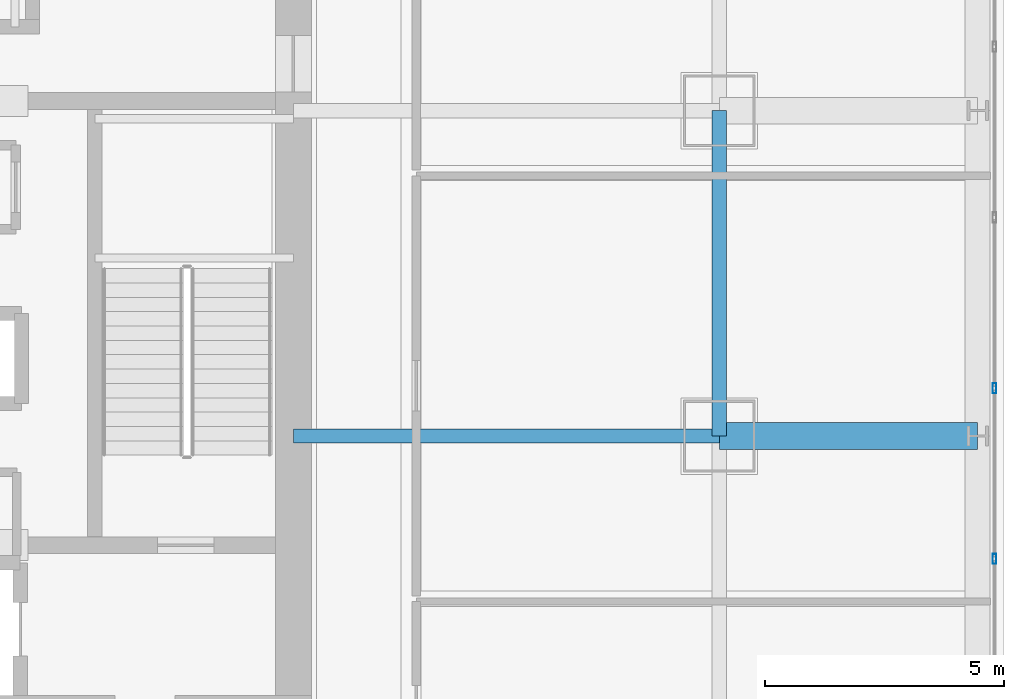
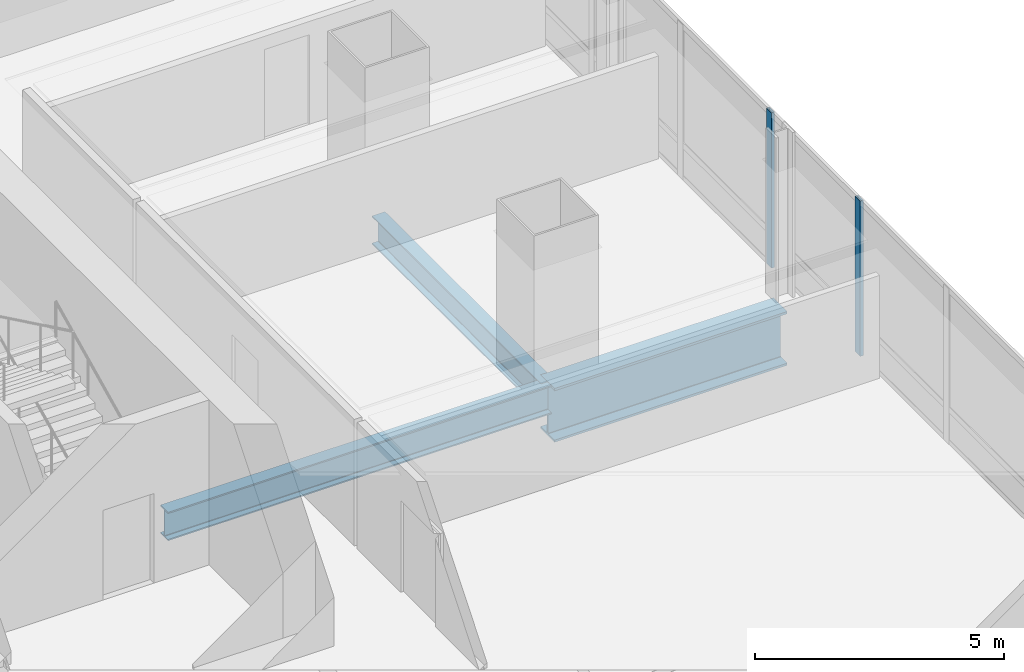
# One storey, part 15 of 35: 3 beams, 2 members, 1 element without a shape of its own.
"""IFC4 building model written with IfcOpenShell, lengths in metres."""

import ifcopenshell
import ifcopenshell.guid

model = None  # the IFC model being written
_history = None  # IfcOwnerHistory: only IFC2X3 demands one
_inside = {}  # id of a spatial element -> (the spatial element, [elements in it])
_under = {}  # id of a project, library or spatial element -> (it, [spatial elements below it])
_declared = {}  # id of a project -> (the project, [libraries it declares])
_typed = {}  # id of a type object -> (the type object, [elements of that type])
_made_of = {}  # id of a material, layer set ... -> (it, [elements and type objects made of it])


def new_model(schema):
    """Start an empty IFC model of exactly this schema.

    Asked for "IFC4X3", IfcOpenShell would pick the latest addendum, in which some entities
    have other attributes; the version numbers below select the first issue.
    IFC2X3 requires an IfcOwnerHistory on every rooted entity: one is made here for all.
    """
    global model, _history
    if schema == "IFC4X3":
        model = ifcopenshell.file(schema_version=(4, 3, 0, 0))
    else:
        model = ifcopenshell.file(schema=schema)
    _inside.clear()
    _under.clear()
    _declared.clear()
    _typed.clear()
    _made_of.clear()
    _history = None
    if model.schema == "IFC2X3":
        org = make("IfcOrganization", Name="unknown")
        user = make(
            "IfcPersonAndOrganization",
            ThePerson=make("IfcPerson", FamilyName="unknown"),
            TheOrganization=org,
        )
        app = make(
            "IfcApplication",
            ApplicationDeveloper=org,
            Version="unknown",
            ApplicationFullName="unknown",
            ApplicationIdentifier="unknown",
        )
        _history = make(
            "IfcOwnerHistory",
            OwningUser=user,
            OwningApplication=app,
            ChangeAction="ADDED",
            CreationDate=0,
        )
    return model


def make(cls, **values):
    """One entity of the class cls with the attributes given. An attribute that is None is left unset."""
    return model.create_entity(
        cls, **{name: value for name, value in values.items() if value is not None}
    )


def rooted(cls, **values):
    """An entity with a GlobalId (a new one), such as an element, a storey or a relation."""
    return make(cls, GlobalId=ifcopenshell.guid.new(), OwnerHistory=_history, **values)


def si_unit(unit_type, name, prefix=None):
    """IfcSIUnit, for example si_unit("LENGTHUNIT", "METRE", prefix="MILLI")."""
    return make("IfcSIUnit", UnitType=unit_type, Prefix=prefix, Name=name)


def assignment(units):
    """IfcUnitAssignment: the units of a project."""
    return None if units is None else make("IfcUnitAssignment", Units=units)


def point(xyz):
    """IfcCartesianPoint."""
    return None if xyz is None else make("IfcCartesianPoint", Coordinates=xyz)


def direction(xyz):
    """IfcDirection."""
    return None if xyz is None else make("IfcDirection", DirectionRatios=xyz)


def frame(location, z_axis=None, x_axis=None):
    """IfcAxis2Placement3D, a coordinate frame: its origin and axes. An axis left out is left unset."""
    return make(
        "IfcAxis2Placement3D",
        Location=point(location),
        Axis=direction(z_axis),
        RefDirection=direction(x_axis),
    )


def frame_2d(location, x_axis=None):
    """IfcAxis2Placement2D, a coordinate frame in the plane: its origin and x axis."""
    return make(
        "IfcAxis2Placement2D", Location=point(location), RefDirection=direction(x_axis)
    )


def origin():
    """The frame at (0, 0, 0) with its axes left unset."""
    return frame((0.0, 0.0, 0.0))


def origin_2d():
    """The frame at (0, 0) in the plane with its x axis left unset."""
    return frame_2d((0.0, 0.0))


def place(relative_to, where):
    """IfcLocalPlacement: puts the frame where relative to a parent placement (None: the world)."""
    return make(
        "IfcLocalPlacement", PlacementRelTo=relative_to, RelativePlacement=where
    )


def context(
    kind, dimensions, precision=None, world=None, true_north=None, identifier=None
):
    """IfcGeometricRepresentationContext, for example the 3D "Model" context."""
    return make(
        "IfcGeometricRepresentationContext",
        ContextIdentifier=identifier,
        ContextType=kind,
        CoordinateSpaceDimension=dimensions,
        Precision=precision,
        WorldCoordinateSystem=world,
        TrueNorth=true_north,
    )


def subcontext(parent, identifier, kind, view, scale=None):
    """IfcGeometricRepresentationSubContext, for example "Body" below "Model"."""
    return make(
        "IfcGeometricRepresentationSubContext",
        ContextIdentifier=identifier,
        ContextType=kind,
        ParentContext=parent,
        TargetScale=scale,
        TargetView=view,
    )


def project(units=None, contexts=None):
    """IfcProject with its units and contexts."""
    return rooted(
        "IfcProject",
        Name="project",
        RepresentationContexts=contexts,
        UnitsInContext=assignment(units),
    )


def spatial(cls, under=None, at=None, **own):
    """A site, building, storey or space (cls), placed at a placement, below another one or the project."""
    s = rooted(cls, ObjectPlacement=at, **own)
    if under is not None:
        _under.setdefault(under.id(), (under, []))[1].append(s)
    return s


def profile(cls, at=None, kind="AREA", **sizes):
    """A parametric profile (cls). Its sizes go by their IFC names, for example OverallWidth=200.0."""
    return make(cls, ProfileType=kind, Position=at, **sizes)


def hollow_rectangle(**sizes):
    """IfcRectangleHollowProfileDef."""
    return profile("IfcRectangleHollowProfileDef", **sizes)


def i_section(**sizes):
    """IfcIShapeProfileDef."""
    return profile("IfcIShapeProfileDef", **sizes)


def extrude(swept, where, along, depth):
    """IfcExtrudedAreaSolid: the profile swept, set in the frame where, extruded along a direction by depth."""
    return make(
        "IfcExtrudedAreaSolid",
        SweptArea=swept,
        Position=where,
        ExtrudedDirection=direction(along),
        Depth=depth,
    )


def shape(context_of_items, identifier, shape_type, items):
    """IfcShapeRepresentation: the items that make up one representation, for example the "Body"."""
    return make(
        "IfcShapeRepresentation",
        ContextOfItems=context_of_items,
        RepresentationIdentifier=identifier,
        RepresentationType=shape_type,
        Items=items,
    )


def material(Name=None, Category=None):
    """IfcMaterial."""
    return make("IfcMaterial", Name=Name, Category=Category)


def material_profile(
    of_material, cross_section, Name=None, Category=None, Priority=None
):
    """IfcMaterialProfile: a cross section and its material."""
    return make(
        "IfcMaterialProfile",
        Name=Name,
        Material=of_material,
        Profile=cross_section,
        Priority=Priority,
        Category=Category,
    )


def profile_set(profiles, Name=None, composite=None):
    """IfcMaterialProfileSet."""
    return make(
        "IfcMaterialProfileSet",
        Name=Name,
        MaterialProfiles=profiles,
        CompositeProfile=composite,
    )


def made_of(thing, what):
    """Note that an element or type object is made of a material, layer set ...; save() writes the relation."""
    if what is not None:
        _made_of.setdefault(what.id(), (what, []))[1].append(thing)
    return thing


def type_object(cls, material=None, **own):
    """A type object (cls), such as IfcWallType, which elements share."""
    return made_of(rooted(cls, **own), material)


def element(
    cls,
    number,
    at=None,
    inside=None,
    cuts=None,
    type_object=None,
    material=None,
    context=None,
    identifier="Body",
    shape_type=None,
    held_by="IfcProductDefinitionShape",
    body=None,
    shapes=None,
    **own,
):
    """One element of the class cls, such as IfcWall. Its Tag is "e" and its number.

    at: its placement. inside: the storey or other place that contains it. cuts: it is an
    opening in that element (IfcRelVoidsElement). A single representation is given by context,
    identifier, shape_type and body (its items); several are given by shapes. held_by: the class
    of the entity that holds the representations. save() writes the other relations.
    """
    e = rooted(cls, Tag="e%d" % number, ObjectPlacement=at, **own)
    if body is not None:
        shapes = [shape(context, identifier, shape_type, body)]
    if shapes is not None:
        e.Representation = make(held_by, Representations=shapes)
    if inside is not None:
        _inside.setdefault(inside.id(), (inside, []))[1].append(e)
    if cuts is not None:
        rooted(
            "IfcRelVoidsElement", RelatingBuildingElement=cuts, RelatedOpeningElement=e
        )
    if type_object is not None:
        _typed.setdefault(type_object.id(), (type_object, []))[1].append(e)
    return made_of(e, material)


def aggregate(whole, parts):
    """IfcRelAggregates: a whole, such as a stair, and the parts it consists of."""
    return rooted("IfcRelAggregates", RelatingObject=whole, RelatedObjects=parts)


def save(model, path):
    """Write the relations noted so far, then the file.

    IfcRelAggregates (storeys below a building ...), IfcRelContainedInSpatialStructure (elements
    in a storey), IfcRelDefinesByType, IfcRelAssociatesMaterial and IfcRelDeclares: one each for
    every whole, place, type object, material and project.
    """
    for whole, parts in _under.values():
        aggregate(whole, parts)
    for where, things in _inside.values():
        rooted(
            "IfcRelContainedInSpatialStructure",
            RelatedElements=things,
            RelatingStructure=where,
        )
    for kind, things in _typed.values():
        rooted("IfcRelDefinesByType", RelatedObjects=things, RelatingType=kind)
    for what, things in _made_of.values():
        rooted("IfcRelAssociatesMaterial", RelatedObjects=things, RelatingMaterial=what)
    for by, libraries in _declared.values():
        rooted("IfcRelDeclares", RelatingContext=by, RelatedDefinitions=libraries)
    model.write(path)


model = new_model("IFC4")

# Units and contexts
model_context = context("Model", 3, precision=1e-05, world=origin(), true_north=direction((0.0, 1.0)))
body_context = subcontext(model_context, "Body", "Model", "MODEL_VIEW")
ifc_project = project(units=[si_unit("LENGTHUNIT", "METRE"), si_unit("AREAUNIT", "SQUARE_METRE"), si_unit("VOLUMEUNIT", "CUBIC_METRE"), si_unit("PLANEANGLEUNIT", "RADIAN"), si_unit("MASSUNIT", "GRAM", prefix="KILO")], contexts=[model_context])

# Site, building, storey
site_placement = place(None, origin())
site = spatial("IfcSite", under=ifc_project, at=site_placement, CompositionType="ELEMENT")
building_placement = place(site_placement, origin())
building = spatial("IfcBuilding", under=site, at=building_placement, Name="Punatoya Terracotta Tower", CompositionType="ELEMENT")
storey_placement = place(building_placement, frame((0.0, 0.0, 72.75)))
storey = spatial("IfcBuildingStorey", under=building, at=storey_placement, Name="L16", CompositionType="ELEMENT", Elevation=72.75)

# Beams
ifc_material_1 = material(Name="Steel S355", Category="steel")
ifc_material_profile_1 = material_profile(ifc_material_1, i_section(OverallWidth=0.300048828125, OverallDepth=0.699951171875, WebThickness=0.01708984375, FlangeThickness=0.031982421875, FilletRadius=0.01806640625, at=origin_2d()))
ifc_profile_set_1 = profile_set([ifc_material_profile_1], Name="Steel S355")
beam_type_1 = type_object("IfcBeamType", Name="BM-PRI-700", PredefinedType="BEAM", material=ifc_profile_set_1)
beam_1_placement = place(storey_placement, frame((19.10009765625, -3.39990234375, -0.590087890625), z_axis=(0.0, 1.0, 0.0), x_axis=(-1.0, 0.0, 0.0)))
element("IfcBeam", 1, at=beam_1_placement, inside=storey, type_object=beam_type_1, Name="BM-L16-RG-E2", PredefinedType="BEAM", context=body_context, shape_type="SweptSolid", body=[
    extrude(i_section(OverallWidth=0.300048828125, OverallDepth=0.699951171875, WebThickness=0.01708984375, FlangeThickness=0.031982421875, FilletRadius=0.01806640625, at=origin_2d()), origin(), (0.0, 0.0, 1.0), 6.7998046875),
])
beam_2_placement = place(storey_placement, frame((10.199951171875, -3.39990234375, -0.590087890625), z_axis=(1.0, 0.0, 0.0), x_axis=(0.0, 1.0, 0.0)))
element("IfcBeam", 2, at=beam_2_placement, inside=storey, type_object=beam_type_1, Name="BM-L16-PR-ED", PredefinedType="BEAM", context=body_context, shape_type="SweptSolid", body=[
    extrude(i_section(OverallWidth=0.300048828125, OverallDepth=0.699951171875, WebThickness=0.01708984375, FlangeThickness=0.031982421875, FilletRadius=0.01806640625, at=origin_2d()), origin(), (0.0, 0.0, 1.0), 8.900146484375),
])
ifc_material_2 = material(Name="Steel S460", Category="steel")
ifc_material_profile_2 = material_profile(ifc_material_2, i_section(OverallWidth=0.56005859375, OverallDepth=1.320068359375, WebThickness=0.035888671875, FlangeThickness=0.054931640625, FilletRadius=0.01806640625, at=origin_2d()))
ifc_profile_set_2 = profile_set([ifc_material_profile_2], Name="Steel S460")
beam_type_2 = type_object("IfcBeamType", Name="BM-TG-BLK", PredefinedType="BEAM", material=ifc_profile_set_2)
beam_3_placement = place(storey_placement, frame((19.10009765625, -3.39990234375, -0.89990234375), z_axis=(1.0, 0.0, 0.0), x_axis=(0.0, 1.0, 0.0)))
element("IfcBeam", 3, at=beam_3_placement, inside=storey, type_object=beam_type_2, Name="BM-L16-CANT-E2", PredefinedType="BEAM", context=body_context, shape_type="SweptSolid", body=[
    extrude(i_section(OverallWidth=0.56005859375, OverallDepth=1.320068359375, WebThickness=0.035888671875, FlangeThickness=0.054931640625, FilletRadius=0.01806640625, at=origin_2d()), origin(), (0.0, 0.0, 1.0), 5.39990234375),
])

# Curtain wall, members
ifc_material_3 = material(Name="Aluminium 6063-T6 + Double Low-E Glass", Category="aluminium")
curtain_wall_type = type_object("IfcCurtainWallType", Name="CW-M1", PredefinedType="NOTDEFINED", material=ifc_material_3)
curtain_wall_placement = place(storey_placement, origin())
curtain_wall = element("IfcCurtainWall", 4, at=curtain_wall_placement, inside=storey, type_object=curtain_wall_type, Name="L16 Curtain Wall CW-L16-E05-1", PredefinedType="NOTDEFINED")
ifc_material_4 = material(Name="Aluminium 6063-T6", Category="aluminium")
ifc_material_profile_3 = material_profile(ifc_material_4, hollow_rectangle(XDim=0.074951171875, YDim=0.2099609375, WallThickness=0.00439453125, at=origin_2d()))
ifc_profile_set_3 = profile_set([ifc_material_profile_3], Name="Aluminium 6063-T6")
member_type = type_object("IfcMemberType", Name="CW-MUL-M1", PredefinedType="MULLION", material=ifc_profile_set_3)
member_1_placement = place(storey_placement, frame((24.85009765625, -5.96728515625, 0.0), z_axis=(0.0, 0.0, 1.0), x_axis=(1.0, 0.0, 0.0)))
member_1 = element("IfcMember", 5, at=member_1_placement, type_object=member_type, Name="CW-L16-E05-1 Mullion 04", PredefinedType="MULLION", context=body_context, shape_type="SweptSolid", body=[
    extrude(hollow_rectangle(XDim=0.074951171875, YDim=0.2099609375, WallThickness=0.00439453125, at=origin_2d()), origin(), (0.0, 0.0, 1.0), 3.81005859375),
])
member_2_placement = place(storey_placement, frame((24.85009765625, -2.39990234375, 0.0), z_axis=(0.0, 0.0, 1.0), x_axis=(1.0, 0.0, 0.0)))
member_2 = element("IfcMember", 6, at=member_2_placement, type_object=member_type, Name="CW-L16-E05-1 Mullion 05", PredefinedType="MULLION", context=body_context, shape_type="SweptSolid", body=[
    extrude(hollow_rectangle(XDim=0.074951171875, YDim=0.2099609375, WallThickness=0.00439453125, at=origin_2d()), origin(), (0.0, 0.0, 1.0), 3.81005859375),
])
aggregate(curtain_wall, [member_1, member_2])

save(model, "model.ifc")
